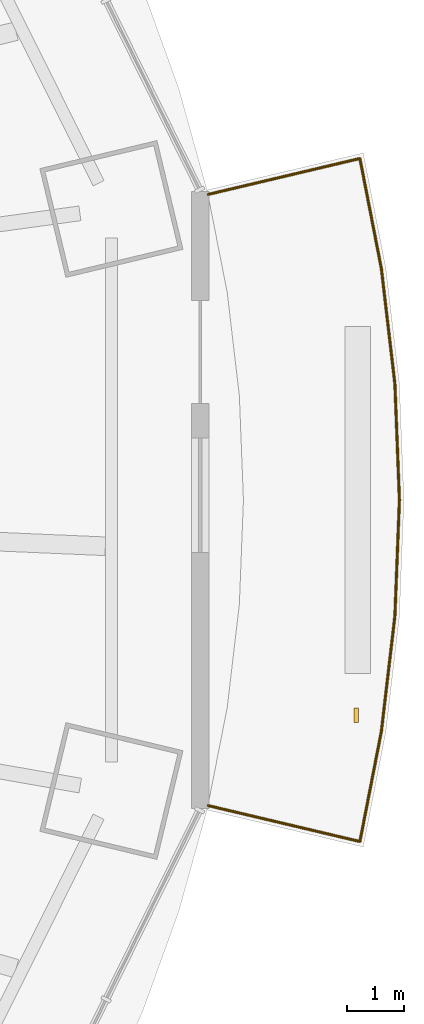
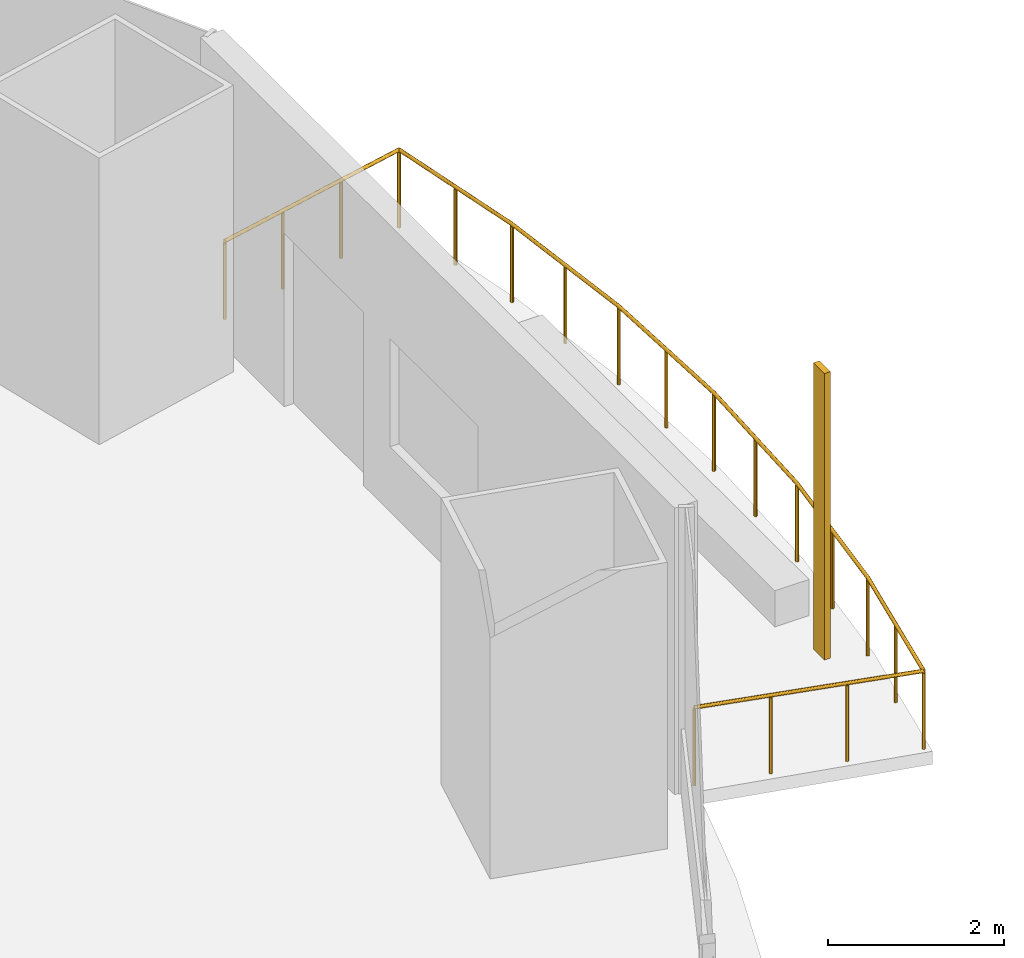
# One storey, part 20 of 21: 1 railing, 1 shading device.
"""IFC4 building model written with IfcOpenShell, lengths in metres."""

from ifc_helpers import new_model, si_unit, direction, frame, origin, origin_2d, place, context, subcontext, project, spatial, rectangle, circle, extrude, material, material_profile, profile_set, type_object, element, save


model = new_model("IFC4")

# Units and contexts
model_context = context("Model", 3, precision=1e-05, world=origin(), true_north=direction((0.0, 1.0)))
body_context = subcontext(model_context, "Body", "Model", "MODEL_VIEW")
ifc_project = project(units=[si_unit("LENGTHUNIT", "METRE"), si_unit("AREAUNIT", "SQUARE_METRE"), si_unit("VOLUMEUNIT", "CUBIC_METRE"), si_unit("PLANEANGLEUNIT", "RADIAN"), si_unit("MASSUNIT", "GRAM", prefix="KILO")], contexts=[model_context])

# Site, building, storey
site_placement = place(None, origin())
site = spatial("IfcSite", under=ifc_project, at=site_placement, CompositionType="ELEMENT")
building_placement = place(site_placement, origin())
building = spatial("IfcBuilding", under=site, at=building_placement, Name="Marenthal Gate Tower", CompositionType="ELEMENT")
storey_placement = place(building_placement, frame((0.0, 0.0, 161.050048828125)))
storey = spatial("IfcBuildingStorey", under=building, at=storey_placement, Name="L34", CompositionType="ELEMENT", Elevation=161.050048828125)

# Railing
ifc_material_1 = material(Name="Stainless steel", Category="steel")
railing_type = type_object("IfcRailingType", Name="Balcony guard 1100", PredefinedType="GUARDRAIL", material=ifc_material_1)
railing_placement = place(storey_placement, frame((34.202880859375, 4.728515625, 0.0)))
element("IfcRailing", 1, at=railing_placement, inside=storey, type_object=railing_type, Name="Balcony guard L34 bay 16", PredefinedType="GUARDRAIL", context=body_context, shape_type="SweptSolid", body=[
    extrude(circle(Radius=0.02392578125, at=origin_2d()), frame((0.0, 0.0, 1.076171875), z_axis=(0.972991835715, 0.230369861859, -0.014717825222), x_axis=(-0.230394816626, 0.97309723485, 0.0)), (0.0, 0.0, 1.0), 2.720458984375),
    extrude(circle(Radius=0.02392578125, at=origin_2d()), frame((2.64697265625, 0.626708984375, 1.0361328125), z_axis=(0.191378192155, -0.981516371523, 0.0), x_axis=(0.981516371523, 0.191378192155, 0.0)), (0.0, 0.0, 1.0), 1.953125),
    extrude(circle(Radius=0.02392578125, at=origin_2d()), frame((3.020751953125, -1.290283203125, 1.0361328125), z_axis=(0.116533907745, -0.993186713738, 0.0), x_axis=(0.993186713738, 0.116533907745, 0.0)), (0.0, 0.0, 1.0), 2.028076171875),
    extrude(circle(Radius=0.02392578125, at=origin_2d()), frame((3.257080078125, -3.304443359375, 1.0361328125), z_axis=(0.039048714007, -0.999237308118, 0.0), x_axis=(0.999237308118, 0.039048714007, 0.0)), (0.0, 0.0, 1.0), 2.025634765625),
    extrude(circle(Radius=0.02392578125, at=origin_2d()), frame((3.336181640625, -5.32861328125, 1.0361328125), z_axis=(-0.039053417163, -0.999237124314, 0.0), x_axis=(0.999237124314, -0.039053417163, 0.0)), (0.0, 0.0, 1.0), 2.025390625),
    extrude(circle(Radius=0.02392578125, at=origin_2d()), frame((3.257080078125, -7.3525390625, 1.0361328125), z_axis=(-0.116533907745, -0.993186713738, 0.0), x_axis=(0.993186713738, -0.116533907745, 0.0)), (0.0, 0.0, 1.0), 2.028076171875),
    extrude(circle(Radius=0.02392578125, at=origin_2d()), frame((3.020751953125, -9.36669921875, 1.0361328125), z_axis=(-0.191378192155, -0.981516371523, 0.0), x_axis=(0.981516371523, -0.191378192155, 0.0)), (0.0, 0.0, 1.0), 1.953125),
    extrude(circle(Radius=0.02392578125, at=origin_2d()), frame((2.64697265625, -11.28369140625, 1.0361328125), z_axis=(-0.972991835715, 0.230369861859, 0.014717825222), x_axis=(-0.230394816626, -0.97309723485, 0.0)), (0.0, 0.0, 1.0), 2.720458984375),
    extrude(circle(Radius=0.02099609375, at=origin_2d()), origin(), (0.0, 0.0, 1.0), 1.052001953125),
    extrude(circle(Radius=0.02099609375, at=origin_2d()), frame((0.88232421875, 0.208984375, -0.013427734375)), (0.0, 0.0, 1.0), 1.052001953125),
    extrude(circle(Radius=0.02099609375, at=origin_2d()), frame((1.7646484375, 0.417724609375, -0.026611328125)), (0.0, 0.0, 1.0), 1.052001953125),
    extrude(circle(Radius=0.02099609375, at=origin_2d()), frame((2.64697265625, 0.626708984375, -0.0400390625)), (0.0, 0.0, 1.0), 1.052001953125),
    extrude(circle(Radius=0.02099609375, at=origin_2d()), frame((2.833984375, -0.331787109375, -0.0400390625)), (0.0, 0.0, 1.0), 1.052001953125),
    extrude(circle(Radius=0.02099609375, at=origin_2d()), frame((3.020751953125, -1.290283203125, -0.0400390625)), (0.0, 0.0, 1.0), 1.052001953125),
    extrude(circle(Radius=0.02099609375, at=origin_2d()), frame((3.138916015625, -2.29736328125, -0.0400390625)), (0.0, 0.0, 1.0), 1.052001953125),
    extrude(circle(Radius=0.02099609375, at=origin_2d()), frame((3.257080078125, -3.304443359375, -0.0400390625)), (0.0, 0.0, 1.0), 1.052001953125),
    extrude(circle(Radius=0.02099609375, at=origin_2d()), frame((3.296630859375, -4.31640625, -0.0400390625)), (0.0, 0.0, 1.0), 1.052001953125),
    extrude(circle(Radius=0.02099609375, at=origin_2d()), frame((3.336181640625, -5.32861328125, -0.0400390625)), (0.0, 0.0, 1.0), 1.052001953125),
    extrude(circle(Radius=0.02099609375, at=origin_2d()), frame((3.296630859375, -6.340576171875, -0.0400390625)), (0.0, 0.0, 1.0), 1.052001953125),
    extrude(circle(Radius=0.02099609375, at=origin_2d()), frame((3.257080078125, -7.3525390625, -0.0400390625)), (0.0, 0.0, 1.0), 1.052001953125),
    extrude(circle(Radius=0.02099609375, at=origin_2d()), frame((3.138916015625, -8.359619140625, -0.0400390625)), (0.0, 0.0, 1.0), 1.052001953125),
    extrude(circle(Radius=0.02099609375, at=origin_2d()), frame((3.020751953125, -9.36669921875, -0.0400390625)), (0.0, 0.0, 1.0), 1.052001953125),
    extrude(circle(Radius=0.02099609375, at=origin_2d()), frame((2.833984375, -10.3251953125, -0.0400390625)), (0.0, 0.0, 1.0), 1.052001953125),
    extrude(circle(Radius=0.02099609375, at=origin_2d()), frame((2.64697265625, -11.28369140625, -0.0400390625)), (0.0, 0.0, 1.0), 1.052001953125),
    extrude(circle(Radius=0.02099609375, at=origin_2d()), frame((1.7646484375, -11.07470703125, -0.026611328125)), (0.0, 0.0, 1.0), 1.052001953125),
    extrude(circle(Radius=0.02099609375, at=origin_2d()), frame((0.88232421875, -10.865966796875, -0.013427734375)), (0.0, 0.0, 1.0), 1.052001953125),
    extrude(circle(Radius=0.02099609375, at=origin_2d()), frame((0.0, -10.656982421875, 0.0)), (0.0, 0.0, 1.0), 1.052001953125),
])

# Shading device
ifc_material_2 = material(Name="Terracotta", Category="masonry")
ifc_material_profile = material_profile(ifc_material_2, rectangle(XDim=0.25, YDim=0.080078125, at=origin_2d()), Name="Terracotta baguette 250x80")
ifc_profile_set = profile_set([ifc_material_profile], Name="Terracotta")
shading_device_type = type_object("IfcShadingDeviceType", Name="Terracotta BAGUETTE SCREEN 250x80", PredefinedType="USERDEFINED", material=ifc_profile_set)
shading_device_placement = place(storey_placement, frame((36.787109375, -4.35205078125, -0.0400390625), z_axis=(0.0, 0.0, 1.0), x_axis=(0.0, 1.0, 0.0)))
element("IfcShadingDevice", 2, at=shading_device_placement, inside=storey, type_object=shading_device_type, Name="Terracotta BAGUETTE L34 bay 16L", ObjectType="BAGUETTE SCREEN", PredefinedType="USERDEFINED", context=body_context, shape_type="SweptSolid", body=[
    extrude(rectangle(XDim=0.25, YDim=0.080078125, at=origin_2d()), origin(), (0.0, 0.0, 1.0), 3.969970703125),
])

save(model, "model.ifc")
